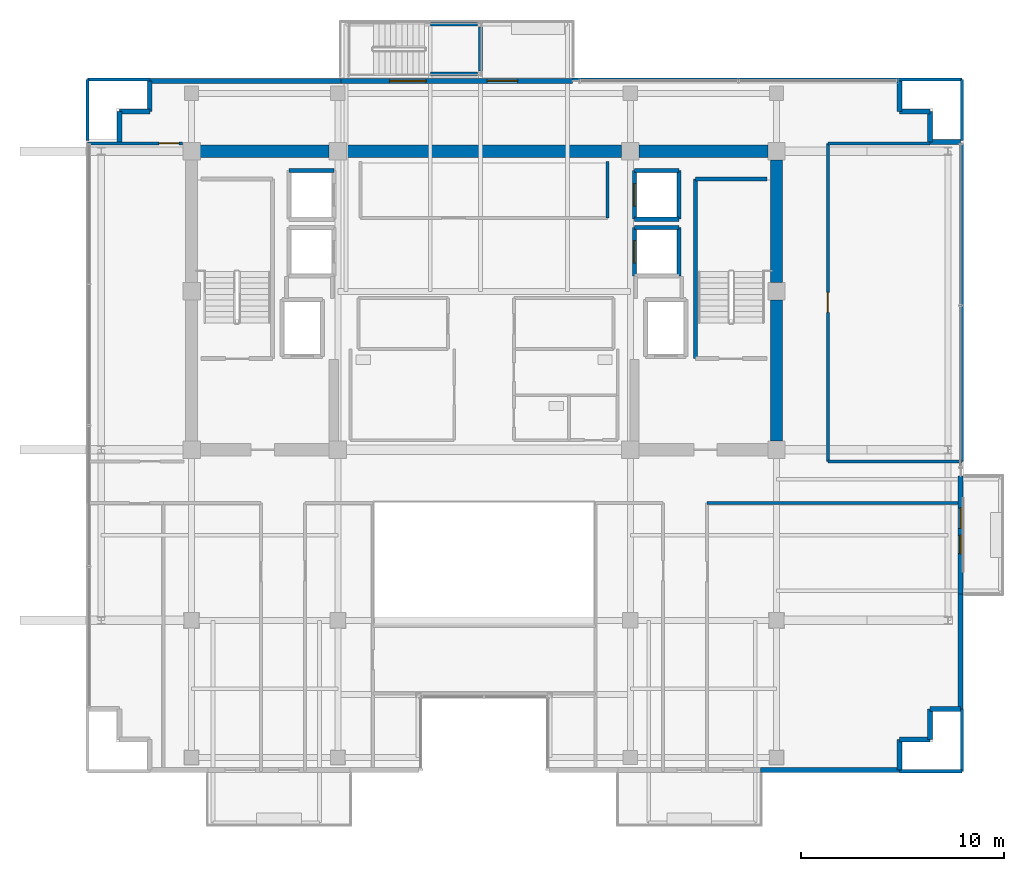
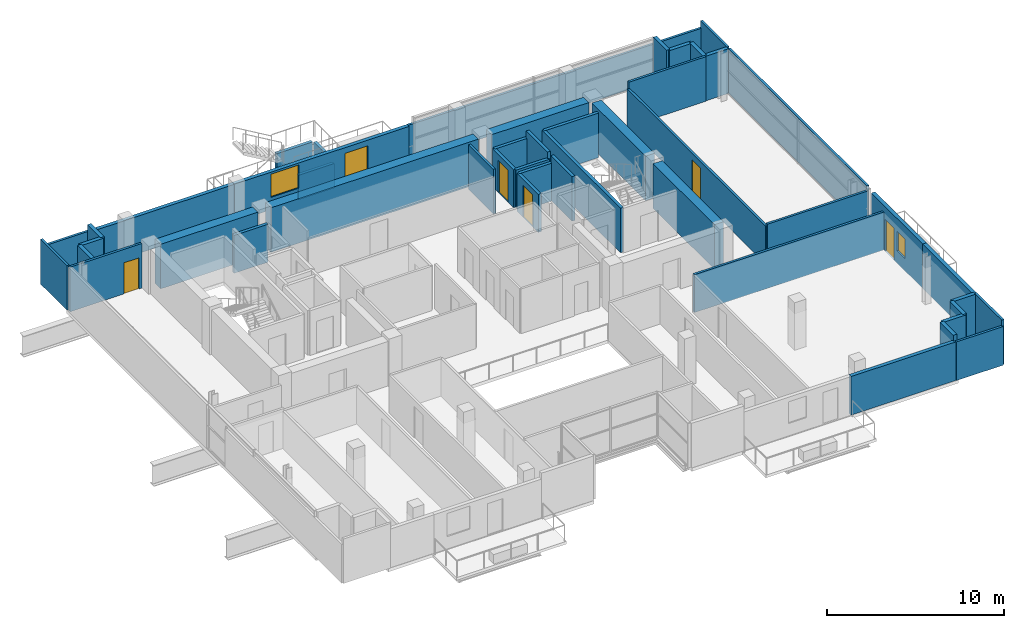
# One storey, part 17 of 23: 47 walls, 6 doors, 2 windows, 8 openings.
"""IFC4 building model written with IfcOpenShell, lengths in metres."""

from ifc_helpers import new_model, si_unit, direction, frame, frame_2d, origin, place, context, subcontext, project, spatial, rectangle, extrude, source, transform, mapped, material, layer, layer_set, type_object, element, fill, save


model = new_model("IFC4")

# Units and contexts
model_context = context("Model", 3, precision=1e-05, world=origin(), true_north=direction((0.0, 1.0)))
body_context = subcontext(model_context, "Body", "Model", "MODEL_VIEW")
ifc_project = project(units=[si_unit("LENGTHUNIT", "METRE"), si_unit("AREAUNIT", "SQUARE_METRE"), si_unit("VOLUMEUNIT", "CUBIC_METRE"), si_unit("PLANEANGLEUNIT", "RADIAN"), si_unit("MASSUNIT", "GRAM", prefix="KILO")], contexts=[model_context])

# Site, building, storey
site_placement = place(None, origin())
site = spatial("IfcSite", under=ifc_project, at=site_placement, CompositionType="ELEMENT")
building_placement = place(site_placement, origin())
building = spatial("IfcBuilding", under=site, at=building_placement, Name="Zarnakvel Exchange Tower", CompositionType="ELEMENT")
storey_placement = place(building_placement, frame((0.0, 0.0, 232.0)))
storey = spatial("IfcBuildingStorey", under=building, at=storey_placement, Name="L65", CompositionType="ELEMENT", Elevation=232.0)

# Walls
ifc_material_1 = material(Name="Concrete C50/60", Category="concrete")
ifc_layer_1 = layer(ifc_material_1, 0.60009765625)
ifc_layer_set_1 = layer_set([ifc_layer_1], Name="Concrete C50/60")
wall_type_1 = type_object("IfcWallType", Name="CW-C5", PredefinedType="SHEAR", material=ifc_layer_set_1)
wall_1_placement = place(storey_placement, frame((-13.97509765625, 13.5, 0.0), z_axis=(0.0, 0.0, 1.0), x_axis=(1.0, 0.0, 0.0)))
element("IfcWall", 1, at=wall_1_placement, inside=storey, type_object=wall_type_1, Name="L65 Rear Core Shear Wall N1 (CW-C5)", PredefinedType="SHEAR", context=body_context, shape_type="SweptSolid", body=[
    extrude(rectangle(XDim=6.35009765625, YDim=0.60009765625, at=frame_2d((3.175048828125, 0.0))), origin(), (0.0, 0.0, 1.0), 3.074951171875),
])
wall_2_placement = place(storey_placement, frame((-6.77490234375, 13.5, 0.0), z_axis=(0.0, 0.0, 1.0), x_axis=(1.0, 0.0, 0.0)))
element("IfcWall", 2, at=wall_2_placement, inside=storey, type_object=wall_type_1, Name="L65 Rear Core Shear Wall N2 (CW-C5)", PredefinedType="SHEAR", context=body_context, shape_type="SweptSolid", body=[
    extrude(rectangle(XDim=13.5498046875, YDim=0.60009765625, at=frame_2d((6.77490234375, 0.0))), origin(), (0.0, 0.0, 1.0), 3.074951171875),
])
wall_3_placement = place(storey_placement, frame((7.625, 13.5, 0.0), z_axis=(0.0, 0.0, 1.0), x_axis=(1.0, 0.0, 0.0)))
element("IfcWall", 3, at=wall_3_placement, inside=storey, type_object=wall_type_1, Name="L65 Rear Core Shear Wall N3 (CW-C5)", PredefinedType="SHEAR", context=body_context, shape_type="SweptSolid", body=[
    extrude(rectangle(XDim=6.35009765625, YDim=0.60009765625, at=frame_2d((3.175048828125, 0.0))), origin(), (0.0, 0.0, 1.0), 3.074951171875),
])
wall_4_placement = place(storey_placement, frame((14.39990234375, -0.77490234375, 0.0), z_axis=(0.0, 0.0, 1.0), x_axis=(0.0, 1.0, 0.0)))
element("IfcWall", 4, at=wall_4_placement, inside=storey, type_object=wall_type_1, Name="L65 Rear Core Shear Wall E1 (CW-C5)", PredefinedType="SHEAR", context=body_context, shape_type="SweptSolid", body=[
    extrude(rectangle(XDim=6.949951171875, YDim=0.60009765625, at=frame_2d((3.47509765625, 0.0))), origin(), (0.0, 0.0, 1.0), 3.074951171875),
])
wall_5_placement = place(storey_placement, frame((14.39990234375, 7.02490234375, 0.0), z_axis=(0.0, 0.0, 1.0), x_axis=(0.0, 1.0, 0.0)))
element("IfcWall", 5, at=wall_5_placement, inside=storey, type_object=wall_type_1, Name="L65 Rear Core Shear Wall E2 (CW-C5)", PredefinedType="SHEAR", context=body_context, shape_type="SweptSolid", body=[
    extrude(rectangle(XDim=6.050048828125, YDim=0.60009765625, at=frame_2d((3.02490234375, 0.0))), origin(), (0.0, 0.0, 1.0), 3.074951171875),
])

# Wall, openings, door, window
ifc_material_2 = material(Name="Precast concrete C40/50", Category="concrete")
ifc_layer_2 = layer(ifc_material_2, 0.239990234375)
ifc_layer_set_2 = layer_set([ifc_layer_2], Name="Precast concrete C40/50")
wall_type_2 = type_object("IfcWallType", Name="EW-02", PredefinedType="SOLIDWALL", material=ifc_layer_set_2)
wall_6_placement = place(storey_placement, frame((23.4599609375, -2.5, 0.0), z_axis=(0.0, 0.0, 1.0), x_axis=(0.0, -1.0, 0.0)))
wall_6 = element("IfcWall", 6, at=wall_6_placement, inside=storey, type_object=wall_type_2, Name="L65 Exterior Precast Spandrel Wall EW-BAL-L65-E (EW-02)", PredefinedType="SOLIDWALL", context=body_context, shape_type="SweptSolid", body=[
    extrude(rectangle(XDim=5.800048828125, YDim=0.239990234375, at=frame_2d((2.89990234375, 0.0))), origin(), (0.0, 0.0, 1.0), 3.074951171875),
])
opening_1_placement = place(wall_6_placement, frame((1.56591796875, 0.0, 0.0)))
opening_1 = element("IfcOpeningElement", 7, at=opening_1_placement, cuts=wall_6, Name="Opening BD-L65-03", PredefinedType="OPENING", context=body_context, shape_type="SweptSolid", body=[
    extrude(rectangle(XDim=1.0, YDim=2.199951171875, at=frame_2d((0.5, 1.10009765625))), frame((0.0, 0.1298828125, 0.0), z_axis=(0.0, -1.0, 0.0), x_axis=(1.0, 0.0, 0.0)), (0.0, 0.0, 1.0), 0.260009765625),
])
opening_2_placement = place(wall_6_placement, frame((2.916015625, 0.0, 0.85009765625)))
opening_2 = element("IfcOpeningElement", 8, at=opening_2_placement, cuts=wall_6, Name="Opening WN-06", PredefinedType="OPENING", context=body_context, shape_type="SweptSolid", body=[
    extrude(rectangle(XDim=0.89990234375, YDim=1.35009765625, at=frame_2d((0.449951171875, 0.675048828125))), frame((0.0, 0.1298828125, 0.0), z_axis=(0.0, -1.0, 0.0), x_axis=(1.0, 0.0, 0.0)), (0.0, 0.0, 1.0), 0.260009765625),
])
ifc_material_3 = material(Name="Architectural Bronze Anodised Aluminium", Category="aluminium")
door_type_1 = type_object("IfcDoorType", Name="DT-09", OperationType="NOTDEFINED", PredefinedType="DOOR", material=ifc_material_3)
shared_shape_1 = source(origin(), body_context, "Body", "SweptSolid", [
    extrude(rectangle(XDim=1.0, YDim=2.199951171875, at=frame_2d((0.5, 1.10009765625))), frame((0.0, 0.02490234375, 0.0), z_axis=(0.0, -1.0, 0.0), x_axis=(1.0, 0.0, 0.0)), (0.0, 0.0, 1.0), 0.050048828125),
])
door_1_placement = place(opening_1_placement, origin())
door_1 = element("IfcDoor", 9, at=door_1_placement, inside=storey, type_object=door_type_1, Name="L65 Planted Loggia Balcony Door BD-L65-03", OperationType="SINGLE_SWING_LEFT", OverallHeight=2.199951171875, OverallWidth=1.0, PredefinedType="DOOR", context=body_context, shape_type="MappedRepresentation", body=[
    mapped(shared_shape_1, transform((0.0, 0.0, 0.0), x_axis=(1.0, 0.0, 0.0), y_axis=(0.0, 1.0, 0.0), z_axis=(0.0, 0.0, 1.0), scale=1.0)),
])
fill(opening_1, door_1)
ifc_material_4 = material(Name="Double Low-E Laminated Vision Glass", Category="glass")
window_type_1 = type_object("IfcWindowType", Name="WN-06", PartitioningType="SINGLE_PANEL", PredefinedType="WINDOW", material=ifc_material_4)
shared_shape_2 = source(origin(), body_context, "Body", "SweptSolid", [
    extrude(rectangle(XDim=0.89990234375, YDim=1.35009765625, at=frame_2d((0.449951171875, 0.675048828125))), frame((0.0, 0.030029296875, 0.0), z_axis=(0.0, -1.0, 0.0), x_axis=(1.0, 0.0, 0.0)), (0.0, 0.0, 1.0), 0.06005859375),
])
window_1_placement = place(opening_2_placement, origin())
window_1 = element("IfcWindow", 10, at=window_1_placement, inside=storey, type_object=window_type_1, Name="L65 Loggia Daylight Window (WN-06)", OverallHeight=1.35009765625, OverallWidth=0.89990234375, PartitioningType="SINGLE_PANEL", PredefinedType="WINDOW", context=body_context, shape_type="MappedRepresentation", body=[
    mapped(shared_shape_2, transform((0.0, 0.0, 0.0), x_axis=(1.0, 0.0, 0.0), y_axis=(0.0, 1.0, 0.0), z_axis=(0.0, 0.0, 1.0), scale=1.0)),
])
fill(opening_2, window_1)

wall_7_placement = place(storey_placement, frame((-7.050048828125, 16.9599609375, 0.0), z_axis=(0.0, 0.0, 1.0), x_axis=(1.0, 0.0, 0.0)))
wall_7 = element("IfcWall", 11, at=wall_7_placement, inside=storey, type_object=wall_type_2, Name="L65 Exterior Precast Spandrel Wall EW-SPTER-L65 (EW-02)", PredefinedType="SOLIDWALL", context=body_context, shape_type="SweptSolid", body=[
    extrude(rectangle(XDim=11.400146484375, YDim=0.239990234375, at=frame_2d((5.7001953125, 0.0))), origin(), (0.0, 0.0, 1.0), 2.590087890625),
])
opening_3_placement = place(wall_7_placement, frame((7.199951171875, 0.0, 0.0)))
opening_3 = element("IfcOpeningElement", 12, at=opening_3_placement, cuts=wall_7, Name="Opening TD-L65-SP", PredefinedType="OPENING", context=body_context, shape_type="SweptSolid", body=[
    extrude(rectangle(XDim=1.5, YDim=2.199951171875, at=frame_2d((0.75, 1.10009765625))), frame((0.0, 0.1298828125, 0.0), z_axis=(0.0, -1.0, 0.0), x_axis=(1.0, 0.0, 0.0)), (0.0, 0.0, 1.0), 0.260009765625),
])
opening_4_placement = place(wall_7_placement, frame((2.39990234375, 0.0, 0.85009765625)))
opening_4 = element("IfcOpeningElement", 13, at=opening_4_placement, cuts=wall_7, Name="Opening WN-05", PredefinedType="OPENING", context=body_context, shape_type="SweptSolid", body=[
    extrude(rectangle(XDim=1.800048828125, YDim=1.60009765625, at=frame_2d((0.89990234375, 0.800048828125))), frame((0.0, 0.1298828125, 0.0), z_axis=(0.0, -1.0, 0.0), x_axis=(1.0, 0.0, 0.0)), (0.0, 0.0, 1.0), 0.260009765625),
])
door_type_2 = type_object("IfcDoorType", Name="DT-10", OperationType="NOTDEFINED", PredefinedType="DOOR", material=ifc_material_3)
shared_shape_3 = source(origin(), body_context, "Body", "SweptSolid", [
    extrude(rectangle(XDim=1.5, YDim=2.199951171875, at=frame_2d((0.75, 1.10009765625))), frame((0.0, 0.02490234375, 0.0), z_axis=(0.0, -1.0, 0.0), x_axis=(1.0, 0.0, 0.0)), (0.0, 0.0, 1.0), 0.050048828125),
])
door_2_placement = place(opening_3_placement, origin())
door_2 = element("IfcDoor", 14, at=door_2_placement, inside=storey, type_object=door_type_2, Name="L65 Spiral Sky-Terrace Access Door TD-L65-SP", OperationType="DOUBLE_DOOR_SINGLE_SWING", OverallHeight=2.199951171875, OverallWidth=1.5, PredefinedType="DOOR", context=body_context, shape_type="MappedRepresentation", body=[
    mapped(shared_shape_3, transform((0.0, 0.0, 0.0), x_axis=(1.0, 0.0, 0.0), y_axis=(0.0, 1.0, 0.0), z_axis=(0.0, 0.0, 1.0), scale=1.0)),
])
fill(opening_3, door_2)
window_type_2 = type_object("IfcWindowType", Name="WN-05", PartitioningType="SINGLE_PANEL", PredefinedType="WINDOW", material=ifc_material_4)
shared_shape_4 = source(origin(), body_context, "Body", "SweptSolid", [
    extrude(rectangle(XDim=1.800048828125, YDim=1.60009765625, at=frame_2d((0.89990234375, 0.800048828125))), frame((0.0, 0.030029296875, 0.0), z_axis=(0.0, -1.0, 0.0), x_axis=(1.0, 0.0, 0.0)), (0.0, 0.0, 1.0), 0.06005859375),
])
window_2_placement = place(opening_4_placement, origin())
window_2 = element("IfcWindow", 15, at=window_2_placement, inside=storey, type_object=window_type_2, Name="L65 Spiral Sky-Terrace Lounge Window", OverallHeight=1.60009765625, OverallWidth=1.800048828125, PartitioningType="SINGLE_PANEL", PredefinedType="WINDOW", context=body_context, shape_type="MappedRepresentation", body=[
    mapped(shared_shape_4, transform((0.0, 0.0, 0.0), x_axis=(1.0, 0.0, 0.0), y_axis=(0.0, 1.0, 0.0), z_axis=(0.0, 0.0, 1.0), scale=1.0)),
])
fill(opening_4, window_2)

# Walls
for number, where, z_axis, x_axis, name in (
    (16, (-17.9599609375, 15.4599609375, 0.0), (0.0, 0.0, 1.0), (0.0, -1.0, 0.0), "L65 Exterior Precast Spandrel Wall EWC-L65-02 (EW-02)"),
    (17, (-16.4599609375, 15.4599609375, 0.0), (0.0, 0.0, 1.0), (-1.0, 0.0, 0.0), "L65 Exterior Precast Spandrel Wall EWC-L65-03 (EW-02)"),
    (18, (-16.4599609375, 16.9599609375, 0.0), (0.0, 0.0, 1.0), (0.0, -1.0, 0.0), "L65 Exterior Precast Spandrel Wall EWC-L65-04 (EW-02)"),
):
    element("IfcWall", number, at=place(storey_placement, frame(where, z_axis=z_axis, x_axis=x_axis)), inside=storey, type_object=wall_type_2, Name=name, PredefinedType="SOLIDWALL", context=body_context, shape_type="SweptSolid", body=[
        extrude(rectangle(XDim=1.5, YDim=0.239990234375, at=frame_2d((0.75, 0.0))), origin(), (0.0, 0.0, 1.0), 3.074951171875),
    ])
wall_8_placement = place(storey_placement, frame((-7.050048828125, 16.9599609375, 0.0), z_axis=(0.0, 0.0, 1.0), x_axis=(-1.0, 0.0, 0.0)))
element("IfcWall", 19, at=wall_8_placement, inside=storey, type_object=wall_type_2, Name="L65 Exterior Precast Spandrel Wall EWC-L65-05 (EW-02)", PredefinedType="SOLIDWALL", context=body_context, shape_type="SweptSolid", body=[
    extrude(rectangle(XDim=9.409912109375, YDim=0.239990234375, at=frame_2d((4.705078125, 0.0))), origin(), (0.0, 0.0, 1.0), 2.590087890625),
])
for number, where, z_axis, x_axis, name in (
    (20, (20.4599609375, 15.4599609375, 0.0), (0.0, 0.0, 1.0), (0.0, 1.0, 0.0), "L65 Exterior Precast Spandrel Wall EWC-L65-07 (EW-02)"),
    (21, (21.9599609375, 15.4599609375, 0.0), (0.0, 0.0, 1.0), (-1.0, 0.0, 0.0), "L65 Exterior Precast Spandrel Wall EWC-L65-08 (EW-02)"),
    (22, (21.9599609375, 13.9599609375, 0.0), (0.0, 0.0, 1.0), (0.0, 1.0, 0.0), "L65 Exterior Precast Spandrel Wall EWC-L65-09 (EW-02)"),
    (23, (23.4599609375, 13.9599609375, 0.0), (0.0, 0.0, 1.0), (-1.0, 0.0, 0.0), "L65 Exterior Precast Spandrel Wall EWC-L65-10 (EW-02)"),
):
    element("IfcWall", number, at=place(storey_placement, frame(where, z_axis=z_axis, x_axis=x_axis)), inside=storey, type_object=wall_type_2, Name=name, PredefinedType="SOLIDWALL", context=body_context, shape_type="SweptSolid", body=[
        extrude(rectangle(XDim=1.5, YDim=0.239990234375, at=frame_2d((0.75, 0.0))), origin(), (0.0, 0.0, 1.0), 3.074951171875),
    ])
wall_9_placement = place(storey_placement, frame((23.4599609375, -13.9599609375, 0.0), z_axis=(0.0, 0.0, 1.0), x_axis=(0.0, 1.0, 0.0)))
element("IfcWall", 24, at=wall_9_placement, inside=storey, type_object=wall_type_2, Name="L65 Exterior Precast Spandrel Wall EWC-L65-12 (EW-02)", PredefinedType="SOLIDWALL", context=body_context, shape_type="SweptSolid", body=[
    extrude(rectangle(XDim=5.659912109375, YDim=0.239990234375, at=frame_2d((2.830078125, 0.0))), origin(), (0.0, 0.0, 1.0), 3.074951171875),
])
for number, where, z_axis, x_axis, name in (
    (25, (21.9599609375, -13.9599609375, 0.0), (0.0, 0.0, 1.0), (1.0, 0.0, 0.0), "L65 Exterior Precast Spandrel Wall EWC-L65-13 (EW-02)"),
    (26, (21.9599609375, -15.4599609375, 0.0), (0.0, 0.0, 1.0), (0.0, 1.0, 0.0), "L65 Exterior Precast Spandrel Wall EWC-L65-14 (EW-02)"),
    (27, (20.4599609375, -15.4599609375, 0.0), (0.0, 0.0, 1.0), (1.0, 0.0, 0.0), "L65 Exterior Precast Spandrel Wall EWC-L65-15 (EW-02)"),
    (28, (20.4599609375, -16.9599609375, 0.0), (0.0, 0.0, 1.0), (0.0, 1.0, 0.0), "L65 Exterior Precast Spandrel Wall EWC-L65-16 (EW-02)"),
):
    element("IfcWall", number, at=place(storey_placement, frame(where, z_axis=z_axis, x_axis=x_axis)), inside=storey, type_object=wall_type_2, Name=name, PredefinedType="SOLIDWALL", context=body_context, shape_type="SweptSolid", body=[
        extrude(rectangle(XDim=1.5, YDim=0.239990234375, at=frame_2d((0.75, 0.0))), origin(), (0.0, 0.0, 1.0), 3.074951171875),
    ])
wall_10_placement = place(storey_placement, frame((13.60009765625, -16.9599609375, 0.0), z_axis=(0.0, 0.0, 1.0), x_axis=(1.0, 0.0, 0.0)))
element("IfcWall", 29, at=wall_10_placement, inside=storey, type_object=wall_type_2, Name="L65 Exterior Precast Spandrel Wall EWC-L65-17 (EW-02)", PredefinedType="SOLIDWALL", context=body_context, shape_type="SweptSolid", body=[
    extrude(rectangle(XDim=6.85986328125, YDim=0.239990234375, at=frame_2d((3.429931640625, 0.0))), origin(), (0.0, 0.0, 1.0), 2.6650390625),
])
ifc_material_5 = material(Name="Fire-Rated Gypsum Stud Partition", Category="gypsum")
ifc_layer_3 = layer(ifc_material_5, 0.14990234375)
ifc_layer_set_3 = layer_set([ifc_layer_3], Name="Fire-Rated Gypsum Stud Partition")
wall_type_3 = type_object("IfcWallType", Name="PT-01", PredefinedType="PARTITIONING", material=ifc_layer_set_3)
wall_11_placement = place(storey_placement, frame((6.080078125, 13.0, 0.0), z_axis=(0.0, 0.0, 1.0), x_axis=(0.0, -1.0, 0.0)))
element("IfcWall", 30, at=wall_11_placement, inside=storey, type_object=wall_type_3, Name="L65 Partition Wall PWALL-L65-013 (PT-01)", PredefinedType="PARTITIONING", context=body_context, shape_type="SweptSolid", body=[
    extrude(rectangle(XDim=2.800048828125, YDim=0.14990234375, at=frame_2d((1.39990234375, 0.0))), origin(), (0.0, 0.0, 1.0), 3.074951171875),
])
wall_12_placement = place(storey_placement, frame((23.530029296875, -17.030029296875, 0.0), z_axis=(0.0, 0.0, 1.0), x_axis=(-1.0, 0.0, 0.0)))
element("IfcWall", 31, at=wall_12_placement, inside=storey, type_object=wall_type_3, Name="L65 Partition Wall PWALL-L65-040 (PT-01)", PredefinedType="PARTITIONING", context=body_context, shape_type="SweptSolid", body=[
    extrude(rectangle(XDim=3.070068359375, YDim=0.14990234375, at=frame_2d((1.53515625, 0.0))), origin(), (0.0, 0.0, 1.0), 2.6650390625),
])
wall_13_placement = place(storey_placement, frame((10.97998046875, -3.830078125, 0.0), z_axis=(0.0, 0.0, 1.0), x_axis=(1.0, 0.0, 0.0)))
element("IfcWall", 32, at=wall_13_placement, inside=storey, type_object=wall_type_3, Name="L65 Partition Wall PWALL-L65-041 (PT-01)", PredefinedType="PARTITIONING", context=body_context, shape_type="SweptSolid", body=[
    extrude(rectangle(XDim=12.550048828125, YDim=0.14990234375, at=frame_2d((6.27490234375, 0.0))), origin(), (0.0, 0.0, 1.0), 2.614990234375),
])
wall_14_placement = place(storey_placement, frame((23.530029296875, -13.9599609375, 0.0), z_axis=(0.0, 0.0, 1.0), x_axis=(0.0, -1.0, 0.0)))
element("IfcWall", 33, at=wall_14_placement, inside=storey, type_object=wall_type_3, Name="L65 Partition Wall PWALL-L65-043 (PT-01)", PredefinedType="PARTITIONING", context=body_context, shape_type="SweptSolid", body=[
    extrude(rectangle(XDim=3.070068359375, YDim=0.14990234375, at=frame_2d((1.53515625, 0.0))), origin(), (0.0, 0.0, 1.0), 3.074951171875),
])

# Wall, opening, door
wall_15_placement = place(storey_placement, frame((-19.530029296875, 13.8798828125, 0.0), z_axis=(0.0, 0.0, 1.0), x_axis=(1.0, 0.0, 0.0)))
wall_15 = element("IfcWall", 34, at=wall_15_placement, inside=storey, type_object=wall_type_3, Name="L65 Partition Wall PWALL-L65-055 (PT-01)", PredefinedType="PARTITIONING", context=body_context, shape_type="SweptSolid", body=[
    extrude(rectangle(XDim=4.68505859375, YDim=0.14990234375, at=frame_2d((2.342529296875, 0.0))), origin(), (0.0, 0.0, 1.0), 3.074951171875),
])
opening_5_placement = place(wall_15_placement, frame((3.52490234375, 0.0, 0.0)))
opening_5 = element("IfcOpeningElement", 35, at=opening_5_placement, cuts=wall_15, Name="Opening D-L65-20", PredefinedType="OPENING", context=body_context, shape_type="SweptSolid", body=[
    extrude(rectangle(XDim=0.97998046875, YDim=2.14990234375, at=frame_2d((0.489990234375, 1.074951171875))), frame((0.0, 0.0849609375, 0.0), z_axis=(0.0, -1.0, 0.0), x_axis=(1.0, 0.0, 0.0)), (0.0, 0.0, 1.0), 0.169921875),
])
ifc_material_6 = material(Name="Timber Acoustic Veneer", Category="wood")
door_type_3 = type_object("IfcDoorType", Name="DT-05", OperationType="NOTDEFINED", PredefinedType="DOOR", material=ifc_material_6)
shared_shape_5 = source(origin(), body_context, "Body", "SweptSolid", [
    extrude(rectangle(XDim=0.97998046875, YDim=2.14990234375, at=frame_2d((0.489990234375, 1.074951171875))), frame((0.0, 0.02490234375, 0.0), z_axis=(0.0, -1.0, 0.0), x_axis=(1.0, 0.0, 0.0)), (0.0, 0.0, 1.0), 0.050048828125),
])
door_3_placement = place(opening_5_placement, origin())
door_3 = element("IfcDoor", 36, at=door_3_placement, inside=storey, type_object=door_type_3, Name="L65 Fintech Workspace Door D-L65-20", OperationType="SINGLE_SWING_RIGHT", OverallHeight=2.14990234375, OverallWidth=0.97998046875, PredefinedType="DOOR", context=body_context, shape_type="MappedRepresentation", body=[
    mapped(shared_shape_5, transform((0.0, 0.0, 0.0), x_axis=(1.0, 0.0, 0.0), y_axis=(0.0, 1.0, 0.0), z_axis=(0.0, 0.0, 1.0), scale=1.0)),
])
fill(opening_5, door_3)

# Walls
wall_16_placement = place(storey_placement, frame((23.530029296875, -1.77001953125, 0.0), z_axis=(0.0, 0.0, 1.0), x_axis=(-1.0, 0.0, 0.0)))
element("IfcWall", 37, at=wall_16_placement, inside=storey, type_object=wall_type_3, Name="L65 Partition Wall PWALL-L65-057 (PT-01)", PredefinedType="PARTITIONING", context=body_context, shape_type="SweptSolid", body=[
    extrude(rectangle(XDim=6.60009765625, YDim=0.14990234375, at=frame_2d((3.300048828125, 0.0))), origin(), (0.0, 0.0, 1.0), 2.764892578125),
])
wall_17_placement = place(storey_placement, frame((16.929931640625, 13.8798828125, 0.0), z_axis=(0.0, 0.0, 1.0), x_axis=(1.0, 0.0, 0.0)))
element("IfcWall", 38, at=wall_17_placement, inside=storey, type_object=wall_type_3, Name="L65 Partition Wall PWALL-L65-058 (PT-01)", PredefinedType="PARTITIONING", context=body_context, shape_type="SweptSolid", body=[
    extrude(rectangle(XDim=5.030029296875, YDim=0.14990234375, at=frame_2d((2.51513671875, 0.0))), origin(), (0.0, 0.0, 1.0), 3.074951171875),
])

# Wall, opening, door
wall_18_placement = place(storey_placement, frame((16.929931640625, -1.77001953125, 0.0), z_axis=(0.0, 0.0, 1.0), x_axis=(0.0, 1.0, 0.0)))
wall_18 = element("IfcWall", 39, at=wall_18_placement, inside=storey, type_object=wall_type_3, Name="L65 Partition Wall PWALL-L65-059 (PT-01)", PredefinedType="PARTITIONING", context=body_context, shape_type="SweptSolid", body=[
    extrude(rectangle(XDim=15.64990234375, YDim=0.14990234375, at=frame_2d((7.824951171875, 0.0))), origin(), (0.0, 0.0, 1.0), 2.614990234375),
])
opening_6_placement = place(wall_18_placement, frame((7.3349609375, 0.0, 0.0)))
opening_6 = element("IfcOpeningElement", 40, at=opening_6_placement, cuts=wall_18, Name="Opening D-L65-19", PredefinedType="OPENING", context=body_context, shape_type="SweptSolid", body=[
    extrude(rectangle(XDim=0.97998046875, YDim=2.14990234375, at=frame_2d((0.489990234375, 1.074951171875))), frame((0.0, 0.0849609375, 0.0), z_axis=(0.0, -1.0, 0.0), x_axis=(1.0, 0.0, 0.0)), (0.0, 0.0, 1.0), 0.169921875),
])
door_4_placement = place(opening_6_placement, origin())
door_4 = element("IfcDoor", 41, at=door_4_placement, inside=storey, type_object=door_type_3, Name="L65 Tea Pantry Door D-L65-19", OperationType="SINGLE_SWING_LEFT", OverallHeight=2.14990234375, OverallWidth=0.97998046875, PredefinedType="DOOR", context=body_context, shape_type="MappedRepresentation", body=[
    mapped(shared_shape_5, transform((0.0, 0.0, 0.0), x_axis=(1.0, 0.0, 0.0), y_axis=(0.0, 1.0, 0.0), z_axis=(0.0, 0.0, 1.0), scale=1.0)),
])
fill(opening_6, door_4)

# Walls
wall_19_placement = place(storey_placement, frame((23.530029296875, 13.8798828125, 0.0), z_axis=(0.0, 0.0, 1.0), x_axis=(0.0, -1.0, 0.0)))
element("IfcWall", 42, at=wall_19_placement, inside=storey, type_object=wall_type_3, Name="L65 Partition Wall PWALL-L65-060 (PT-01)", PredefinedType="PARTITIONING", context=body_context, shape_type="SweptSolid", body=[
    extrude(rectangle(XDim=15.64990234375, YDim=0.14990234375, at=frame_2d((7.824951171875, 0.0))), origin(), (0.0, 0.0, 1.0), 3.074951171875),
])
wall_20_placement = place(storey_placement, frame((-19.530029296875, 17.030029296875, 0.0), z_axis=(0.0, 0.0, 1.0), x_axis=(1.0, 0.0, 0.0)))
element("IfcWall", 43, at=wall_20_placement, inside=storey, type_object=wall_type_3, Name="L65 Partition Wall PWALL-L65-061 (PT-01)", PredefinedType="PARTITIONING", context=body_context, shape_type="SweptSolid", body=[
    extrude(rectangle(XDim=3.070068359375, YDim=0.14990234375, at=frame_2d((1.53515625, 0.0))), origin(), (0.0, 0.0, 1.0), 2.590087890625),
])
wall_21_placement = place(storey_placement, frame((4.35009765625, 17.030029296875, 0.0), z_axis=(0.0, 0.0, 1.0), x_axis=(1.0, 0.0, 0.0)))
element("IfcWall", 44, at=wall_21_placement, inside=storey, type_object=wall_type_3, Name="L65 Partition Wall PWALL-L65-062 (PT-01)", PredefinedType="PARTITIONING", context=body_context, shape_type="SweptSolid", body=[
    extrude(rectangle(XDim=19.179931640625, YDim=0.14990234375, at=frame_2d((9.58984375, 0.0))), origin(), (0.0, 0.0, 1.0), 2.590087890625),
])
for number, where, z_axis, x_axis, name in (
    (45, (-19.530029296875, 14.030029296875, 0.0), (0.0, 0.0, 1.0), (0.0, 1.0, 0.0), "L65 Partition Wall PWALL-L65-063 (PT-01)"),
    (46, (23.530029296875, 17.030029296875, 0.0), (0.0, 0.0, 1.0), (0.0, -1.0, 0.0), "L65 Partition Wall PWALL-L65-064 (PT-01)"),
):
    element("IfcWall", number, at=place(storey_placement, frame(where, z_axis=z_axis, x_axis=x_axis)), inside=storey, type_object=wall_type_3, Name=name, PredefinedType="PARTITIONING", context=body_context, shape_type="SweptSolid", body=[
        extrude(rectangle(XDim=3.0, YDim=0.14990234375, at=frame_2d((1.5, 0.0))), origin(), (0.0, 0.0, 1.0), 3.074951171875),
    ])
ifc_material_7 = material(Name="Concrete C40/50", Category="concrete")
ifc_layer_4 = layer(ifc_material_7, 0.199951171875)
ifc_layer_set_4 = layer_set([ifc_layer_4], Name="Concrete C40/50")
wall_type_4 = type_object("IfcWallType", Name="SW-01", PredefinedType="SOLIDWALL", material=ifc_layer_set_4)
for number, where, z_axis, x_axis, name in (
    (47, (-9.60009765625, 12.550048828125, 0.0), (0.0, 0.0, 1.0), (1.0, 0.0, 0.0), "L65 PL-10 Hoistway Wall North"),
    (48, (7.39990234375, 9.75, 0.0), (0.0, 0.0, 1.0), (1.0, 0.0, 0.0), "L65 PL-11 Hoistway Wall North"),
):
    element("IfcWall", number, at=place(storey_placement, frame(where, z_axis=z_axis, x_axis=x_axis)), inside=storey, type_object=wall_type_4, Name=name, PredefinedType="SOLIDWALL", context=body_context, shape_type="SweptSolid", body=[
        extrude(rectangle(XDim=2.2001953125, YDim=0.199951171875, at=frame_2d((1.10009765625, 0.0))), origin(), (0.0, 0.0, 1.0), 2.614990234375),
    ])

# Wall, opening, door
wall_22_placement = place(storey_placement, frame((7.39990234375, 7.35009765625, 0.0), z_axis=(0.0, 0.0, 1.0), x_axis=(0.0, 1.0, 0.0)))
wall_22 = element("IfcWall", 49, at=wall_22_placement, inside=storey, type_object=wall_type_4, Name="L65 PL-11 Hoistway Wall West", PredefinedType="SOLIDWALL", context=body_context, shape_type="SweptSolid", body=[
    extrude(rectangle(XDim=2.39990234375, YDim=0.199951171875, at=frame_2d((1.199951171875, 0.0))), origin(), (0.0, 0.0, 1.0), 2.614990234375),
])
opening_7_placement = place(wall_22_placement, frame((0.64990234375, 0.0, 0.0)))
opening_7 = element("IfcOpeningElement", 50, at=opening_7_placement, cuts=wall_22, Name="Opening LD-PL-11-L65", PredefinedType="OPENING", context=body_context, shape_type="SweptSolid", body=[
    extrude(rectangle(XDim=1.10009765625, YDim=2.199951171875, at=frame_2d((0.550048828125, 1.10009765625))), frame((0.0, 0.10986328125, 0.0), z_axis=(0.0, -1.0, 0.0), x_axis=(1.0, 0.0, 0.0)), (0.0, 0.0, 1.0), 0.219970703125),
])
door_type_4 = type_object("IfcDoorType", Name="LDT-02", OperationType="NOTDEFINED", PredefinedType="DOOR", material=ifc_material_3)
shared_shape_6 = source(origin(), body_context, "Body", "SweptSolid", [
    extrude(rectangle(XDim=1.10009765625, YDim=2.199951171875, at=frame_2d((0.550048828125, 1.10009765625))), frame((0.0, 0.02490234375, 0.0), z_axis=(0.0, -1.0, 0.0), x_axis=(1.0, 0.0, 0.0)), (0.0, 0.0, 1.0), 0.050048828125),
])
door_5_placement = place(opening_7_placement, origin())
door_5 = element("IfcDoor", 51, at=door_5_placement, inside=storey, type_object=door_type_4, Name="L65 PL-11 Lift Landing Door LD-PL-11-L65", OperationType="DOUBLE_DOOR_SLIDING", OverallHeight=2.199951171875, OverallWidth=1.10009765625, PredefinedType="DOOR", context=body_context, shape_type="MappedRepresentation", body=[
    mapped(shared_shape_6, transform((0.0, 0.0, 0.0), x_axis=(1.0, 0.0, 0.0), y_axis=(0.0, 1.0, 0.0), z_axis=(0.0, 0.0, 1.0), scale=1.0)),
])
fill(opening_7, door_5)

# Walls
wall_23_placement = place(storey_placement, frame((9.60009765625, 9.75, 0.0), z_axis=(0.0, 0.0, 1.0), x_axis=(0.0, -1.0, 0.0)))
element("IfcWall", 52, at=wall_23_placement, inside=storey, type_object=wall_type_4, Name="L65 PL-11 Hoistway Wall East", PredefinedType="SOLIDWALL", context=body_context, shape_type="SweptSolid", body=[
    extrude(rectangle(XDim=2.39990234375, YDim=0.199951171875, at=frame_2d((1.199951171875, 0.0))), origin(), (0.0, 0.0, 1.0), 3.074951171875),
])
for number, where, z_axis, x_axis, name in (
    (53, (9.60009765625, 10.14990234375, 0.0), (0.0, 0.0, 1.0), (-1.0, 0.0, 0.0), "L65 PL-12 Hoistway Wall South"),
    (54, (7.39990234375, 12.550048828125, 0.0), (0.0, 0.0, 1.0), (1.0, 0.0, 0.0), "L65 PL-12 Hoistway Wall North"),
):
    element("IfcWall", number, at=place(storey_placement, frame(where, z_axis=z_axis, x_axis=x_axis)), inside=storey, type_object=wall_type_4, Name=name, PredefinedType="SOLIDWALL", context=body_context, shape_type="SweptSolid", body=[
        extrude(rectangle(XDim=2.2001953125, YDim=0.199951171875, at=frame_2d((1.10009765625, 0.0))), origin(), (0.0, 0.0, 1.0), 2.614990234375),
    ])

# Wall, opening, door
wall_24_placement = place(storey_placement, frame((7.39990234375, 10.14990234375, 0.0), z_axis=(0.0, 0.0, 1.0), x_axis=(0.0, 1.0, 0.0)))
wall_24 = element("IfcWall", 55, at=wall_24_placement, inside=storey, type_object=wall_type_4, Name="L65 PL-12 Hoistway Wall West", PredefinedType="SOLIDWALL", context=body_context, shape_type="SweptSolid", body=[
    extrude(rectangle(XDim=2.400146484375, YDim=0.199951171875, at=frame_2d((1.2001953125, 0.0))), origin(), (0.0, 0.0, 1.0), 2.614990234375),
])
opening_8_placement = place(wall_24_placement, frame((0.64990234375, 0.0, 0.0)))
opening_8 = element("IfcOpeningElement", 56, at=opening_8_placement, cuts=wall_24, Name="Opening LD-PL-12-L65", PredefinedType="OPENING", context=body_context, shape_type="SweptSolid", body=[
    extrude(rectangle(XDim=1.10009765625, YDim=2.199951171875, at=frame_2d((0.550048828125, 1.10009765625))), frame((0.0, 0.10986328125, 0.0), z_axis=(0.0, -1.0, 0.0), x_axis=(1.0, 0.0, 0.0)), (0.0, 0.0, 1.0), 0.219970703125),
])
door_6_placement = place(opening_8_placement, origin())
door_6 = element("IfcDoor", 57, at=door_6_placement, inside=storey, type_object=door_type_4, Name="L65 PL-12 Lift Landing Door LD-PL-12-L65", OperationType="DOUBLE_DOOR_SLIDING", OverallHeight=2.199951171875, OverallWidth=1.10009765625, PredefinedType="DOOR", context=body_context, shape_type="MappedRepresentation", body=[
    mapped(shared_shape_6, transform((0.0, 0.0, 0.0), x_axis=(1.0, 0.0, 0.0), y_axis=(0.0, 1.0, 0.0), z_axis=(0.0, 0.0, 1.0), scale=1.0)),
])
fill(opening_8, door_6)

# Walls
wall_25_placement = place(storey_placement, frame((9.60009765625, 12.550048828125, 0.0), z_axis=(0.0, 0.0, 1.0), x_axis=(0.0, -1.0, 0.0)))
element("IfcWall", 58, at=wall_25_placement, inside=storey, type_object=wall_type_4, Name="L65 PL-12 Hoistway Wall East", PredefinedType="SOLIDWALL", context=body_context, shape_type="SweptSolid", body=[
    extrude(rectangle(XDim=2.400146484375, YDim=0.199951171875, at=frame_2d((1.2001953125, 0.0))), origin(), (0.0, 0.0, 1.0), 3.074951171875),
])
ifc_layer_5 = layer(ifc_material_7, 0.199951171875)
ifc_layer_set_5 = layer_set([ifc_layer_5], Name="Concrete C40/50")
wall_type_5 = type_object("IfcWallType", Name="SW-02", PredefinedType="SOLIDWALL", material=ifc_layer_set_5)
wall_26_placement = place(storey_placement, frame((-0.179931640625, 17.43994140625, -0.25), z_axis=(0.0, 0.0, 1.0), x_axis=(0.0, 1.0, 0.0)))
element("IfcWall", 59, at=wall_26_placement, inside=storey, type_object=wall_type_5, Name="L65 Sky-Terrace Stair ST-14 Landing Plinth Wall E", PredefinedType="SOLIDWALL", context=body_context, shape_type="SweptSolid", body=[
    extrude(rectangle(XDim=2.18017578125, YDim=0.199951171875, at=frame_2d((1.090087890625, 0.0))), origin(), (0.0, 0.0, 1.0), 1.699951171875),
])
for number, where, z_axis, x_axis, name in (
    (60, (-2.64990234375, 17.300048828125, -0.25), (0.0, 0.0, 1.0), (1.0, 0.0, 0.0), "L65 Sky-Terrace Stair ST-14 Landing Plinth Wall S"),
    (61, (-2.64990234375, 19.760009765625, -0.25), (0.0, 0.0, 1.0), (1.0, 0.0, 0.0), "L65 Sky-Terrace Stair ST-14 Landing Plinth Wall N"),
):
    element("IfcWall", number, at=place(storey_placement, frame(where, z_axis=z_axis, x_axis=x_axis)), inside=storey, type_object=wall_type_5, Name=name, PredefinedType="SOLIDWALL", context=body_context, shape_type="SweptSolid", body=[
        extrude(rectangle(XDim=2.329833984375, YDim=0.199951171875, at=frame_2d((1.1650390625, 0.0))), origin(), (0.0, 0.0, 1.0), 1.699951171875),
    ])
wall_27_placement = place(storey_placement, frame((10.409912109375, 12.1298828125, 0.0), z_axis=(0.0, 0.0, 1.0), x_axis=(1.0, 0.0, 0.0)))
element("IfcWall", 62, at=wall_27_placement, inside=storey, type_object=wall_type_5, Name="L65 Stairwell Core Wall PWALL-L65-005 (SW-02)", PredefinedType="SOLIDWALL", context=body_context, shape_type="SweptSolid", body=[
    extrude(rectangle(XDim=3.52001953125, YDim=0.199951171875, at=frame_2d((1.760009765625, 0.0))), origin(), (0.0, 0.0, 1.0), 3.074951171875),
])
wall_28_placement = place(storey_placement, frame((10.409912109375, 3.2900390625, 0.0), z_axis=(0.0, 0.0, 1.0), x_axis=(0.0, 1.0, 0.0)))
element("IfcWall", 63, at=wall_28_placement, inside=storey, type_object=wall_type_5, Name="L65 Stairwell Core Wall PWALL-L65-006 (SW-02)", PredefinedType="SOLIDWALL", context=body_context, shape_type="SweptSolid", body=[
    extrude(rectangle(XDim=8.83984375, YDim=0.199951171875, at=frame_2d((4.419921875, 0.0))), origin(), (0.0, 0.0, 1.0), 3.074951171875),
])

save(model, "model.ifc")
